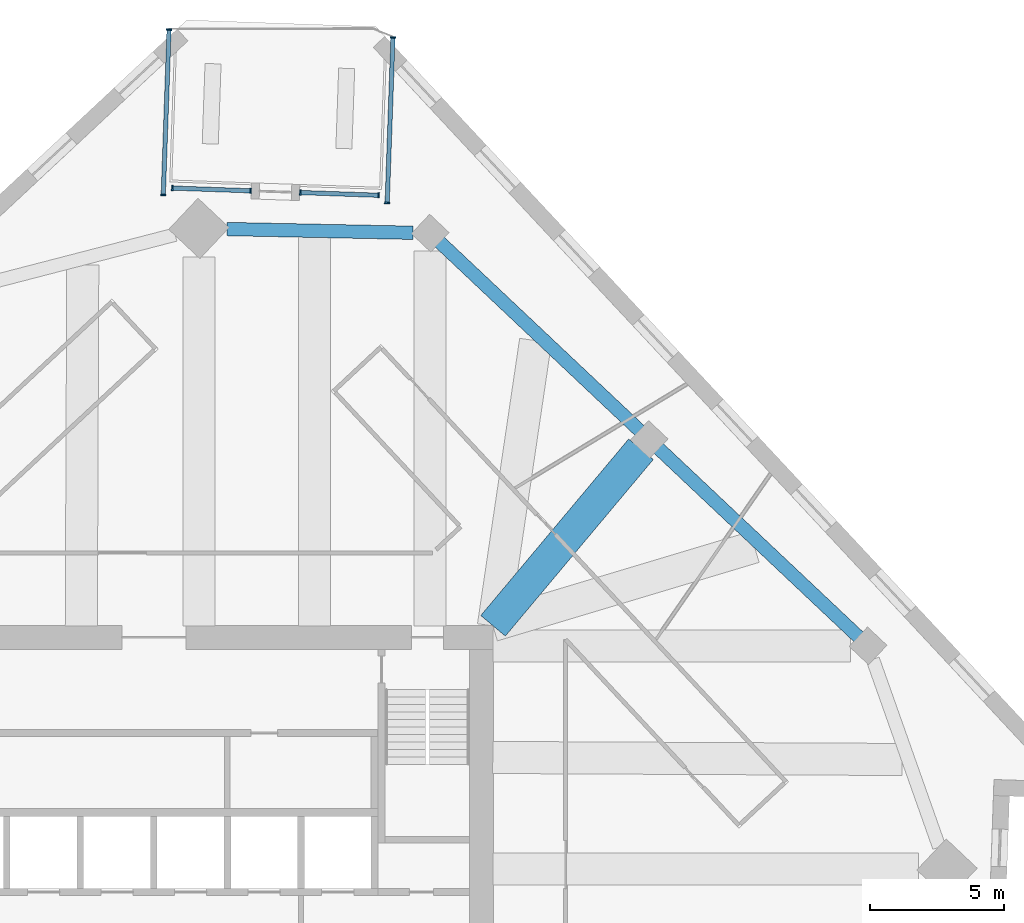
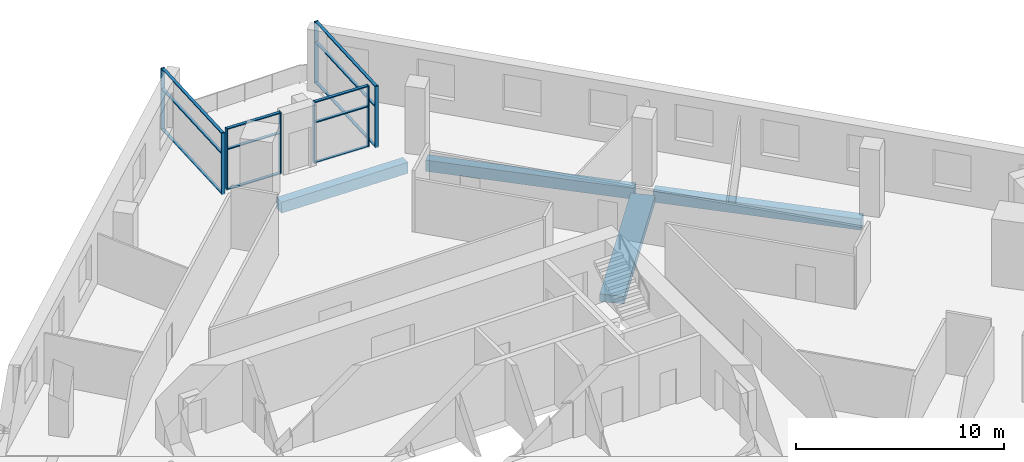
# One storey, part 2 of 10: 20 members, 4 beams, 4 elements without a shape of their own.
"""IFC4 building model written with IfcOpenShell, lengths in metres."""

from ifc_helpers import new_model, si_unit, direction, frame, origin, origin_2d, place, context, subcontext, project, spatial, rectangle, extrude, material, material_profile, profile_set, type_object, element, aggregate, save


model = new_model("IFC4")

# Units and contexts
model_context = context("Model", 3, precision=1e-05, world=origin(), true_north=direction((0.0, 1.0)))
body_context = subcontext(model_context, "Body", "Model", "MODEL_VIEW")
ifc_project = project(units=[si_unit("LENGTHUNIT", "METRE"), si_unit("AREAUNIT", "SQUARE_METRE"), si_unit("VOLUMEUNIT", "CUBIC_METRE"), si_unit("PLANEANGLEUNIT", "RADIAN"), si_unit("MASSUNIT", "GRAM", prefix="KILO")], contexts=[model_context])

# Site, building, storey
site_placement = place(None, origin())
site = spatial("IfcSite", under=ifc_project, at=site_placement, CompositionType="ELEMENT")
building_placement = place(site_placement, origin())
building = spatial("IfcBuilding", under=site, at=building_placement, Name="Dilmun Exchange Tower", CompositionType="ELEMENT")
storey_placement = place(building_placement, frame((0.0, 0.0, 197.300048828125)))
storey = spatial("IfcBuildingStorey", under=building, at=storey_placement, Name="L46", CompositionType="ELEMENT", Elevation=197.300048828125)

# Curtain wall, members
ifc_material_1 = material(Name="Anodised aluminium and clear glass", Category="aluminium")
curtain_wall_type = type_object("IfcCurtainWallType", Name="Garden corner glazing", PredefinedType="NOTDEFINED", material=ifc_material_1)
curtain_wall_1_placement = place(storey_placement, origin())
curtain_wall_1 = element("IfcCurtainWall", 1, at=curtain_wall_1_placement, inside=storey, type_object=curtain_wall_type, Name="Garden corner glazing run GC1.1", PredefinedType="NOTDEFINED")
ifc_material_2 = material(Name="Anodised aluminium", Category="aluminium")
ifc_material_profile_1 = material_profile(ifc_material_2, rectangle(XDim=0.199951171875, YDim=0.06005859375, at=origin_2d()), Name="AL 60x200")
ifc_profile_set_1 = profile_set([ifc_material_profile_1], Name="Anodised aluminium")
member_type_1 = type_object("IfcMemberType", Name="Garden corner glazing mullion 60 x 200", PredefinedType="MULLION", material=ifc_profile_set_1)
member_1_placement = place(storey_placement, frame((8.9404296875, 34.680908203125, 0.0), z_axis=(0.0, 0.0, 1.0), x_axis=(0.999390826392, -0.034899514651, 0.0)))
member_1 = element("IfcMember", 2, at=member_1_placement, type_object=member_type_1, Name="GC1.1 mullion 1", PredefinedType="MULLION", context=body_context, shape_type="SweptSolid", body=[
    extrude(rectangle(XDim=0.199951171875, YDim=0.06005859375, at=origin_2d()), origin(), (0.0, 0.0, 1.0), 3.619873046875),
])
member_2_placement = place(storey_placement, frame((8.724609375, 28.498291015625, 0.0), z_axis=(0.0, 0.0, 1.0), x_axis=(0.999390826392, -0.034899514651, 0.0)))
member_2 = element("IfcMember", 3, at=member_2_placement, type_object=member_type_1, Name="GC1.1 mullion 2", PredefinedType="MULLION", context=body_context, shape_type="SweptSolid", body=[
    extrude(rectangle(XDim=0.199951171875, YDim=0.06005859375, at=origin_2d()), origin(), (0.0, 0.0, 1.0), 3.619873046875),
])

curtain_wall_2_placement = place(storey_placement, origin())
curtain_wall_2 = element("IfcCurtainWall", 4, at=curtain_wall_2_placement, inside=storey, type_object=curtain_wall_type, Name="Garden corner glazing run GC2.1", PredefinedType="NOTDEFINED")
member_3_placement = place(storey_placement, frame((8.404052734375, 28.779541015625, 0.0), z_axis=(0.0, 0.0, 1.0), x_axis=(-0.034893209966, -0.999391046537, 0.0)))
member_3 = element("IfcMember", 5, at=member_3_placement, type_object=member_type_1, Name="GC2.1 mullion 1", PredefinedType="MULLION", context=body_context, shape_type="SweptSolid", body=[
    extrude(rectangle(XDim=0.199951171875, YDim=0.06005859375, at=origin_2d()), origin(), (0.0, 0.0, 1.0), 3.619873046875),
])
member_4_placement = place(storey_placement, frame((5.476806640625, 28.8818359375, 0.0), z_axis=(0.0, 0.0, 1.0), x_axis=(-0.034893209966, -0.999391046537, 0.0)))
member_4 = element("IfcMember", 6, at=member_4_placement, type_object=member_type_1, Name="GC2.1 mullion 2", PredefinedType="MULLION", context=body_context, shape_type="SweptSolid", body=[
    extrude(rectangle(XDim=0.199951171875, YDim=0.06005859375, at=origin_2d()), origin(), (0.0, 0.0, 1.0), 3.619873046875),
])

curtain_wall_3_placement = place(storey_placement, origin())
curtain_wall_3 = element("IfcCurtainWall", 7, at=curtain_wall_3_placement, inside=storey, type_object=curtain_wall_type, Name="Garden corner glazing run GC2.3", PredefinedType="NOTDEFINED")
member_5_placement = place(storey_placement, frame((3.617919921875, 28.94677734375, 0.0), z_axis=(0.0, 0.0, 1.0), x_axis=(-0.034894376636, -0.999391005803, 0.0)))
member_5 = element("IfcMember", 8, at=member_5_placement, type_object=member_type_1, Name="GC2.3 mullion 1", PredefinedType="MULLION", context=body_context, shape_type="SweptSolid", body=[
    extrude(rectangle(XDim=0.199951171875, YDim=0.06005859375, at=origin_2d()), origin(), (0.0, 0.0, 1.0), 3.619873046875),
])
member_6_placement = place(storey_placement, frame((0.690673828125, 29.049072265625, 0.0), z_axis=(0.0, 0.0, 1.0), x_axis=(-0.034894376636, -0.999391005803, 0.0)))
member_6 = element("IfcMember", 9, at=member_6_placement, type_object=member_type_1, Name="GC2.3 mullion 2", PredefinedType="MULLION", context=body_context, shape_type="SweptSolid", body=[
    extrude(rectangle(XDim=0.199951171875, YDim=0.06005859375, at=origin_2d()), origin(), (0.0, 0.0, 1.0), 3.619873046875),
])

curtain_wall_4_placement = place(storey_placement, origin())
curtain_wall_4 = element("IfcCurtainWall", 10, at=curtain_wall_4_placement, inside=storey, type_object=curtain_wall_type, Name="Garden corner glazing run GC3.1", PredefinedType="NOTDEFINED")
member_7_placement = place(storey_placement, frame((0.3515625, 28.79052734375, 0.0), z_axis=(0.0, 0.0, 1.0), x_axis=(-0.999390826392, 0.034899514651, 0.0)))
member_7 = element("IfcMember", 11, at=member_7_placement, type_object=member_type_1, Name="GC3.1 mullion 1", PredefinedType="MULLION", context=body_context, shape_type="SweptSolid", body=[
    extrude(rectangle(XDim=0.199951171875, YDim=0.06005859375, at=origin_2d()), origin(), (0.0, 0.0, 1.0), 3.619873046875),
])
member_8_placement = place(storey_placement, frame((0.5673828125, 34.973388671875, 0.0), z_axis=(0.0, 0.0, 1.0), x_axis=(-0.999390826392, 0.034899514651, 0.0)))
member_8 = element("IfcMember", 12, at=member_8_placement, type_object=member_type_1, Name="GC3.1 mullion 2", PredefinedType="MULLION", context=body_context, shape_type="SweptSolid", body=[
    extrude(rectangle(XDim=0.199951171875, YDim=0.06005859375, at=origin_2d()), origin(), (0.0, 0.0, 1.0), 3.619873046875),
])

# Member
ifc_material_profile_2 = material_profile(ifc_material_2, rectangle(XDim=0.159912109375, YDim=0.06005859375, at=origin_2d()), Name="AL 60x160")
ifc_profile_set_2 = profile_set([ifc_material_profile_2], Name="Anodised aluminium")
member_type_2 = type_object("IfcMemberType", Name="Garden corner glazing transom 60 x 160", PredefinedType="USERDEFINED", material=ifc_profile_set_2)
member_9_placement = place(storey_placement, frame((8.939453125, 34.65087890625, 0.030029296875), z_axis=(-0.034908333431, -0.999390518395, 0.0), x_axis=(0.999390518395, -0.034908333431, 0.0)))
member_9 = element("IfcMember", 13, at=member_9_placement, type_object=member_type_2, Name="GC1.1 transom 1.1", ObjectType="TRANSOM", PredefinedType="USERDEFINED", context=body_context, shape_type="SweptSolid", body=[
    extrude(rectangle(XDim=0.159912109375, YDim=0.06005859375, at=origin_2d()), origin(), (0.0, 0.0, 1.0), 6.12646484375),
])

member_10_placement = place(storey_placement, frame((8.939453125, 34.65087890625, 2.39990234375), z_axis=(-0.034908333431, -0.999390518395, 0.0), x_axis=(0.999390518395, -0.034908333431, 0.0)))
member_10 = element("IfcMember", 14, at=member_10_placement, type_object=member_type_2, Name="GC1.1 transom 1.2", ObjectType="TRANSOM", PredefinedType="USERDEFINED", context=body_context, shape_type="SweptSolid", body=[
    extrude(rectangle(XDim=0.159912109375, YDim=0.06005859375, at=origin_2d()), origin(), (0.0, 0.0, 1.0), 6.12646484375),
])

member_11_placement = place(storey_placement, frame((8.939453125, 34.65087890625, 3.58984375), z_axis=(-0.034908333431, -0.999390518395, 0.0), x_axis=(0.999390518395, -0.034908333431, 0.0)))
member_11 = element("IfcMember", 15, at=member_11_placement, type_object=member_type_2, Name="GC1.1 transom 1.3", ObjectType="TRANSOM", PredefinedType="USERDEFINED", context=body_context, shape_type="SweptSolid", body=[
    extrude(rectangle(XDim=0.159912109375, YDim=0.06005859375, at=origin_2d()), origin(), (0.0, 0.0, 1.0), 6.12646484375),
])

aggregate(curtain_wall_1, [member_1, member_2, member_9, member_10, member_11])

member_12_placement = place(storey_placement, frame((8.3740234375, 28.780517578125, 0.030029296875), z_axis=(-0.999391152029, 0.03489018838, 0.0), x_axis=(-0.03489018838, -0.999391152029, 0.0)))
member_12 = element("IfcMember", 16, at=member_12_placement, type_object=member_type_2, Name="GC2.1 transom 1.1", ObjectType="TRANSOM", PredefinedType="USERDEFINED", context=body_context, shape_type="SweptSolid", body=[
    extrude(rectangle(XDim=0.159912109375, YDim=0.06005859375, at=origin_2d()), origin(), (0.0, 0.0, 1.0), 2.868896484375),
])

member_13_placement = place(storey_placement, frame((8.3740234375, 28.780517578125, 2.39990234375), z_axis=(-0.999391152029, 0.03489018838, 0.0), x_axis=(-0.03489018838, -0.999391152029, 0.0)))
member_13 = element("IfcMember", 17, at=member_13_placement, type_object=member_type_2, Name="GC2.1 transom 1.2", ObjectType="TRANSOM", PredefinedType="USERDEFINED", context=body_context, shape_type="SweptSolid", body=[
    extrude(rectangle(XDim=0.159912109375, YDim=0.06005859375, at=origin_2d()), origin(), (0.0, 0.0, 1.0), 2.868896484375),
])

member_14_placement = place(storey_placement, frame((8.3740234375, 28.780517578125, 3.58984375), z_axis=(-0.999391152029, 0.03489018838, 0.0), x_axis=(-0.03489018838, -0.999391152029, 0.0)))
member_14 = element("IfcMember", 18, at=member_14_placement, type_object=member_type_2, Name="GC2.1 transom 1.3", ObjectType="TRANSOM", PredefinedType="USERDEFINED", context=body_context, shape_type="SweptSolid", body=[
    extrude(rectangle(XDim=0.159912109375, YDim=0.06005859375, at=origin_2d()), origin(), (0.0, 0.0, 1.0), 2.868896484375),
])

aggregate(curtain_wall_2, [member_3, member_4, member_12, member_13, member_14])

member_15_placement = place(storey_placement, frame((3.587890625, 28.94775390625, 0.030029296875), z_axis=(-0.999391152029, 0.03489018838, 0.0), x_axis=(-0.03489018838, -0.999391152029, 0.0)))
member_15 = element("IfcMember", 19, at=member_15_placement, type_object=member_type_2, Name="GC2.3 transom 1.1", ObjectType="TRANSOM", PredefinedType="USERDEFINED", context=body_context, shape_type="SweptSolid", body=[
    extrude(rectangle(XDim=0.159912109375, YDim=0.06005859375, at=origin_2d()), origin(), (0.0, 0.0, 1.0), 2.868896484375),
])

member_16_placement = place(storey_placement, frame((3.587890625, 28.94775390625, 2.39990234375), z_axis=(-0.999391152029, 0.03489018838, 0.0), x_axis=(-0.03489018838, -0.999391152029, 0.0)))
member_16 = element("IfcMember", 20, at=member_16_placement, type_object=member_type_2, Name="GC2.3 transom 1.2", ObjectType="TRANSOM", PredefinedType="USERDEFINED", context=body_context, shape_type="SweptSolid", body=[
    extrude(rectangle(XDim=0.159912109375, YDim=0.06005859375, at=origin_2d()), origin(), (0.0, 0.0, 1.0), 2.868896484375),
])

member_17_placement = place(storey_placement, frame((3.587890625, 28.94775390625, 3.58984375), z_axis=(-0.999391152029, 0.03489018838, 0.0), x_axis=(-0.03489018838, -0.999391152029, 0.0)))
member_17 = element("IfcMember", 21, at=member_17_placement, type_object=member_type_2, Name="GC2.3 transom 1.3", ObjectType="TRANSOM", PredefinedType="USERDEFINED", context=body_context, shape_type="SweptSolid", body=[
    extrude(rectangle(XDim=0.159912109375, YDim=0.06005859375, at=origin_2d()), origin(), (0.0, 0.0, 1.0), 2.868896484375),
])

aggregate(curtain_wall_3, [member_5, member_6, member_15, member_16, member_17])

member_18_placement = place(storey_placement, frame((0.3525390625, 28.820556640625, 0.030029296875), z_axis=(0.034908333431, 0.999390518395, 0.0), x_axis=(-0.999390518395, 0.034908333431, 0.0)))
member_18 = element("IfcMember", 22, at=member_18_placement, type_object=member_type_2, Name="GC3.1 transom 1.1", ObjectType="TRANSOM", PredefinedType="USERDEFINED", context=body_context, shape_type="SweptSolid", body=[
    extrude(rectangle(XDim=0.159912109375, YDim=0.06005859375, at=origin_2d()), origin(), (0.0, 0.0, 1.0), 6.12646484375),
])

member_19_placement = place(storey_placement, frame((0.3525390625, 28.820556640625, 2.39990234375), z_axis=(0.034908333431, 0.999390518395, 0.0), x_axis=(-0.999390518395, 0.034908333431, 0.0)))
member_19 = element("IfcMember", 23, at=member_19_placement, type_object=member_type_2, Name="GC3.1 transom 1.2", ObjectType="TRANSOM", PredefinedType="USERDEFINED", context=body_context, shape_type="SweptSolid", body=[
    extrude(rectangle(XDim=0.159912109375, YDim=0.06005859375, at=origin_2d()), origin(), (0.0, 0.0, 1.0), 6.12646484375),
])

member_20_placement = place(storey_placement, frame((0.3525390625, 28.820556640625, 3.58984375), z_axis=(0.034908333431, 0.999390518395, 0.0), x_axis=(-0.999390518395, 0.034908333431, 0.0)))
member_20 = element("IfcMember", 24, at=member_20_placement, type_object=member_type_2, Name="GC3.1 transom 1.3", ObjectType="TRANSOM", PredefinedType="USERDEFINED", context=body_context, shape_type="SweptSolid", body=[
    extrude(rectangle(XDim=0.159912109375, YDim=0.06005859375, at=origin_2d()), origin(), (0.0, 0.0, 1.0), 6.12646484375),
])

aggregate(curtain_wall_4, [member_7, member_8, member_18, member_19, member_20])

# Beams
ifc_material_3 = material(Name="Concrete C40/50", Category="concrete")
ifc_material_profile_3 = material_profile(ifc_material_3, rectangle(XDim=1.199951171875, YDim=0.449951171875, at=origin_2d()), Name="1200 x 450")
ifc_profile_set_3 = profile_set([ifc_material_profile_3], Name="Concrete C40/50")
beam_type_1 = type_object("IfcBeamType", Name="RC band beam 1200 x 450 C40/50", PredefinedType="BEAM", material=ifc_profile_set_3)
beam_1_placement = place(storey_placement, frame((18.2158203125, 19.28369140625, -0.705078125), z_axis=(-0.642200063897, -0.766537068856, 0.0), x_axis=(0.766537068856, -0.642200063897, 0.0)))
element("IfcBeam", 25, at=beam_1_placement, inside=storey, type_object=beam_type_1, Name="Band beam 15", PredefinedType="BEAM", context=body_context, shape_type="SweptSolid", body=[
    extrude(rectangle(XDim=1.199951171875, YDim=0.449951171875, at=origin_2d()), origin(), (0.0, 0.0, 1.0), 8.615966796875),
])
ifc_material_profile_4 = material_profile(ifc_material_3, rectangle(XDim=0.5, YDim=0.64990234375, at=origin_2d()), Name="500 x 650")
ifc_profile_set_4 = profile_set([ifc_material_profile_4], Name="Concrete C40/50")
beam_type_2 = type_object("IfcBeamType", Name="RC ring beam 500 x 650 C40/50", PredefinedType="SPANDREL", material=ifc_profile_set_4)
beam_2_placement = place(storey_placement, frame((26.36181640625, 12.25537109375, -0.705078125), z_axis=(-0.727685706374, 0.68591071776, 0.0), x_axis=(-0.68591071776, -0.727685706374, 0.0)))
element("IfcBeam", 26, at=beam_2_placement, inside=storey, type_object=beam_type_2, Name="Ring beam 14", PredefinedType="SPANDREL", context=body_context, shape_type="SweptSolid", body=[
    extrude(rectangle(XDim=0.5, YDim=0.64990234375, at=origin_2d()), origin(), (0.0, 0.0, 1.0), 10.30322265625),
])
beam_3_placement = place(storey_placement, frame((18.17578125, 19.971435546875, -0.705078125), z_axis=(-0.727682990869, 0.685913598641, 0.0), x_axis=(-0.685913598641, -0.727682990869, 0.0)))
element("IfcBeam", 27, at=beam_3_placement, inside=storey, type_object=beam_type_2, Name="Ring beam 15", PredefinedType="SPANDREL", context=body_context, shape_type="SweptSolid", body=[
    extrude(rectangle(XDim=0.5, YDim=0.64990234375, at=origin_2d()), origin(), (0.0, 0.0, 1.0), 10.3046875),
])
beam_4_placement = place(storey_placement, frame((9.685791015625, 27.376953125, -0.705078125), z_axis=(-0.999797424966, 0.020127320539, 0.0), x_axis=(-0.020127320539, -0.999797424966, 0.0)))
element("IfcBeam", 28, at=beam_4_placement, inside=storey, type_object=beam_type_2, Name="Ring beam 16", PredefinedType="SPANDREL", context=body_context, shape_type="SweptSolid", body=[
    extrude(rectangle(XDim=0.5, YDim=0.64990234375, at=origin_2d()), origin(), (0.0, 0.0, 1.0), 6.950439453125),
])

save(model, "model.ifc")
